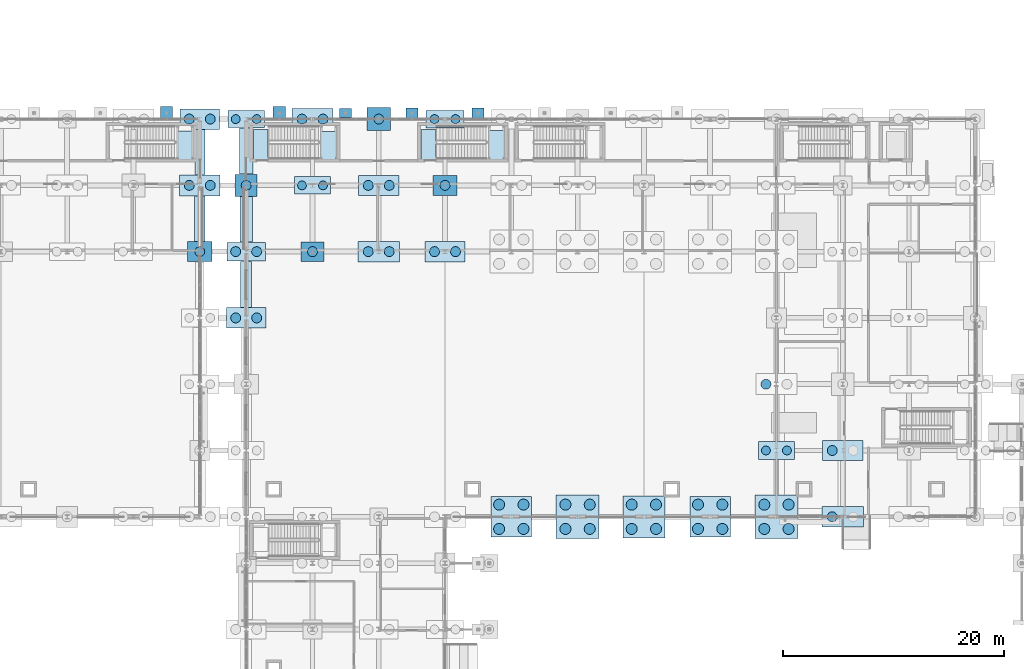
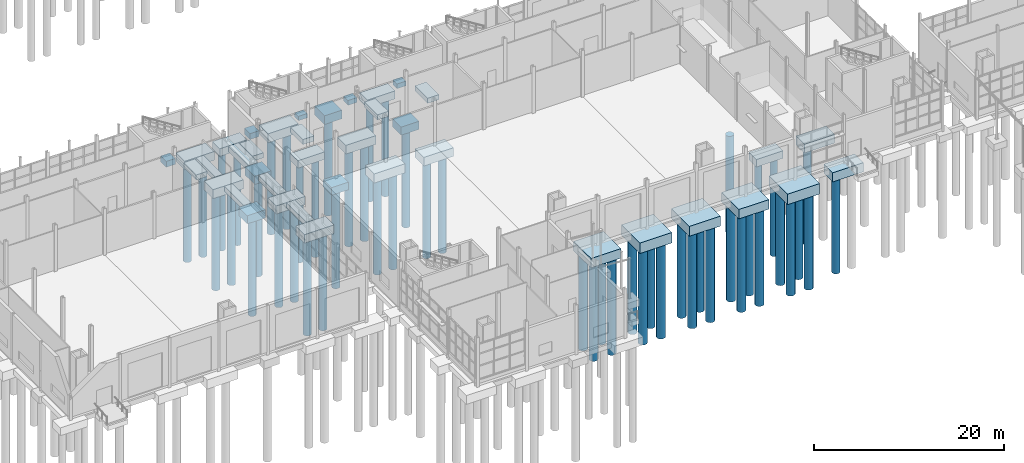
# One storey, part 3 of 120: 52 piles, 39 footings.
"""IFC4 building model written with IfcOpenShell, lengths in metres."""

import ifcopenshell
import ifcopenshell.guid

model = None  # the IFC model being written
_history = None  # IfcOwnerHistory: only IFC2X3 demands one
_inside = {}  # id of a spatial element -> (the spatial element, [elements in it])
_under = {}  # id of a project, library or spatial element -> (it, [spatial elements below it])
_declared = {}  # id of a project -> (the project, [libraries it declares])
_typed = {}  # id of a type object -> (the type object, [elements of that type])
_made_of = {}  # id of a material, layer set ... -> (it, [elements and type objects made of it])


def new_model(schema):
    """Start an empty IFC model of exactly this schema.

    Asked for "IFC4X3", IfcOpenShell would pick the latest addendum, in which some entities
    have other attributes; the version numbers below select the first issue.
    IFC2X3 requires an IfcOwnerHistory on every rooted entity: one is made here for all.
    """
    global model, _history
    if schema == "IFC4X3":
        model = ifcopenshell.file(schema_version=(4, 3, 0, 0))
    else:
        model = ifcopenshell.file(schema=schema)
    _inside.clear()
    _under.clear()
    _declared.clear()
    _typed.clear()
    _made_of.clear()
    _history = None
    if model.schema == "IFC2X3":
        org = make("IfcOrganization", Name="unknown")
        user = make(
            "IfcPersonAndOrganization",
            ThePerson=make("IfcPerson", FamilyName="unknown"),
            TheOrganization=org,
        )
        app = make(
            "IfcApplication",
            ApplicationDeveloper=org,
            Version="unknown",
            ApplicationFullName="unknown",
            ApplicationIdentifier="unknown",
        )
        _history = make(
            "IfcOwnerHistory",
            OwningUser=user,
            OwningApplication=app,
            ChangeAction="ADDED",
            CreationDate=0,
        )
    return model


def make(cls, **values):
    """One entity of the class cls with the attributes given. An attribute that is None is left unset."""
    return model.create_entity(
        cls, **{name: value for name, value in values.items() if value is not None}
    )


def rooted(cls, **values):
    """An entity with a GlobalId (a new one), such as an element, a storey or a relation."""
    return make(cls, GlobalId=ifcopenshell.guid.new(), OwnerHistory=_history, **values)


def si_unit(unit_type, name, prefix=None):
    """IfcSIUnit, for example si_unit("LENGTHUNIT", "METRE", prefix="MILLI")."""
    return make("IfcSIUnit", UnitType=unit_type, Prefix=prefix, Name=name)


def assignment(units):
    """IfcUnitAssignment: the units of a project."""
    return None if units is None else make("IfcUnitAssignment", Units=units)


def point(xyz):
    """IfcCartesianPoint."""
    return None if xyz is None else make("IfcCartesianPoint", Coordinates=xyz)


def direction(xyz):
    """IfcDirection."""
    return None if xyz is None else make("IfcDirection", DirectionRatios=xyz)


def frame(location, z_axis=None, x_axis=None):
    """IfcAxis2Placement3D, a coordinate frame: its origin and axes. An axis left out is left unset."""
    return make(
        "IfcAxis2Placement3D",
        Location=point(location),
        Axis=direction(z_axis),
        RefDirection=direction(x_axis),
    )


def frame_2d(location, x_axis=None):
    """IfcAxis2Placement2D, a coordinate frame in the plane: its origin and x axis."""
    return make(
        "IfcAxis2Placement2D", Location=point(location), RefDirection=direction(x_axis)
    )


def origin():
    """The frame at (0, 0, 0) with its axes left unset."""
    return frame((0.0, 0.0, 0.0))


def origin_2d():
    """The frame at (0, 0) in the plane with its x axis left unset."""
    return frame_2d((0.0, 0.0))


def place(relative_to, where):
    """IfcLocalPlacement: puts the frame where relative to a parent placement (None: the world)."""
    return make(
        "IfcLocalPlacement", PlacementRelTo=relative_to, RelativePlacement=where
    )


def context(
    kind, dimensions, precision=None, world=None, true_north=None, identifier=None
):
    """IfcGeometricRepresentationContext, for example the 3D "Model" context."""
    return make(
        "IfcGeometricRepresentationContext",
        ContextIdentifier=identifier,
        ContextType=kind,
        CoordinateSpaceDimension=dimensions,
        Precision=precision,
        WorldCoordinateSystem=world,
        TrueNorth=true_north,
    )


def subcontext(parent, identifier, kind, view, scale=None):
    """IfcGeometricRepresentationSubContext, for example "Body" below "Model"."""
    return make(
        "IfcGeometricRepresentationSubContext",
        ContextIdentifier=identifier,
        ContextType=kind,
        ParentContext=parent,
        TargetScale=scale,
        TargetView=view,
    )


def project(units=None, contexts=None):
    """IfcProject with its units and contexts."""
    return rooted(
        "IfcProject",
        Name="project",
        RepresentationContexts=contexts,
        UnitsInContext=assignment(units),
    )


def spatial(cls, under=None, at=None, **own):
    """A site, building, storey or space (cls), placed at a placement, below another one or the project."""
    s = rooted(cls, ObjectPlacement=at, **own)
    if under is not None:
        _under.setdefault(under.id(), (under, []))[1].append(s)
    return s


def profile(cls, at=None, kind="AREA", **sizes):
    """A parametric profile (cls). Its sizes go by their IFC names, for example OverallWidth=200.0."""
    return make(cls, ProfileType=kind, Position=at, **sizes)


def rectangle(**sizes):
    """IfcRectangleProfileDef."""
    return profile("IfcRectangleProfileDef", **sizes)


def circle(**sizes):
    """IfcCircleProfileDef."""
    return profile("IfcCircleProfileDef", **sizes)


def extrude(swept, where, along, depth):
    """IfcExtrudedAreaSolid: the profile swept, set in the frame where, extruded along a direction by depth."""
    return make(
        "IfcExtrudedAreaSolid",
        SweptArea=swept,
        Position=where,
        ExtrudedDirection=direction(along),
        Depth=depth,
    )


def shape(context_of_items, identifier, shape_type, items):
    """IfcShapeRepresentation: the items that make up one representation, for example the "Body"."""
    return make(
        "IfcShapeRepresentation",
        ContextOfItems=context_of_items,
        RepresentationIdentifier=identifier,
        RepresentationType=shape_type,
        Items=items,
    )


def material(Name=None, Category=None):
    """IfcMaterial."""
    return make("IfcMaterial", Name=Name, Category=Category)


def material_profile(
    of_material, cross_section, Name=None, Category=None, Priority=None
):
    """IfcMaterialProfile: a cross section and its material."""
    return make(
        "IfcMaterialProfile",
        Name=Name,
        Material=of_material,
        Profile=cross_section,
        Priority=Priority,
        Category=Category,
    )


def profile_set(profiles, Name=None, composite=None):
    """IfcMaterialProfileSet."""
    return make(
        "IfcMaterialProfileSet",
        Name=Name,
        MaterialProfiles=profiles,
        CompositeProfile=composite,
    )


def made_of(thing, what):
    """Note that an element or type object is made of a material, layer set ...; save() writes the relation."""
    if what is not None:
        _made_of.setdefault(what.id(), (what, []))[1].append(thing)
    return thing


def type_object(cls, material=None, **own):
    """A type object (cls), such as IfcWallType, which elements share."""
    return made_of(rooted(cls, **own), material)


def element(
    cls,
    number,
    at=None,
    inside=None,
    cuts=None,
    type_object=None,
    material=None,
    context=None,
    identifier="Body",
    shape_type=None,
    held_by="IfcProductDefinitionShape",
    body=None,
    shapes=None,
    **own,
):
    """One element of the class cls, such as IfcWall. Its Tag is "e" and its number.

    at: its placement. inside: the storey or other place that contains it. cuts: it is an
    opening in that element (IfcRelVoidsElement). A single representation is given by context,
    identifier, shape_type and body (its items); several are given by shapes. held_by: the class
    of the entity that holds the representations. save() writes the other relations.
    """
    e = rooted(cls, Tag="e%d" % number, ObjectPlacement=at, **own)
    if body is not None:
        shapes = [shape(context, identifier, shape_type, body)]
    if shapes is not None:
        e.Representation = make(held_by, Representations=shapes)
    if inside is not None:
        _inside.setdefault(inside.id(), (inside, []))[1].append(e)
    if cuts is not None:
        rooted(
            "IfcRelVoidsElement", RelatingBuildingElement=cuts, RelatedOpeningElement=e
        )
    if type_object is not None:
        _typed.setdefault(type_object.id(), (type_object, []))[1].append(e)
    return made_of(e, material)


def aggregate(whole, parts):
    """IfcRelAggregates: a whole, such as a stair, and the parts it consists of."""
    return rooted("IfcRelAggregates", RelatingObject=whole, RelatedObjects=parts)


def save(model, path):
    """Write the relations noted so far, then the file.

    IfcRelAggregates (storeys below a building ...), IfcRelContainedInSpatialStructure (elements
    in a storey), IfcRelDefinesByType, IfcRelAssociatesMaterial and IfcRelDeclares: one each for
    every whole, place, type object, material and project.
    """
    for whole, parts in _under.values():
        aggregate(whole, parts)
    for where, things in _inside.values():
        rooted(
            "IfcRelContainedInSpatialStructure",
            RelatedElements=things,
            RelatingStructure=where,
        )
    for kind, things in _typed.values():
        rooted("IfcRelDefinesByType", RelatedObjects=things, RelatingType=kind)
    for what, things in _made_of.values():
        rooted("IfcRelAssociatesMaterial", RelatedObjects=things, RelatingMaterial=what)
    for by, libraries in _declared.values():
        rooted("IfcRelDeclares", RelatingContext=by, RelatedDefinitions=libraries)
    model.write(path)


model = new_model("IFC4")

# Units and contexts
model_context = context("Model", 3, precision=1e-05, world=origin(), true_north=direction((0.0, 1.0)))
body_context = subcontext(model_context, "Body", "Model", "MODEL_VIEW")
ifc_project = project(units=[si_unit("LENGTHUNIT", "METRE"), si_unit("AREAUNIT", "SQUARE_METRE"), si_unit("VOLUMEUNIT", "CUBIC_METRE"), si_unit("PLANEANGLEUNIT", "RADIAN"), si_unit("MASSUNIT", "GRAM", prefix="KILO")], contexts=[model_context])

# Site, building, storey
site_placement = place(None, origin())
site = spatial("IfcSite", under=ifc_project, at=site_placement, CompositionType="ELEMENT")
building_placement = place(site_placement, origin())
building = spatial("IfcBuilding", under=site, at=building_placement, Name="Siltcreek Boulevard Central Fire Station", CompositionType="ELEMENT")
storey_placement = place(building_placement, origin())
storey = spatial("IfcBuildingStorey", under=building, at=storey_placement, Name="L01", CompositionType="ELEMENT", Elevation=0.0)

# Footings
ifc_material = material(Name="Concrete C35/45", Category="concrete")
footing_type_1 = type_object("IfcFootingType", Name="PC_200X200X106", PredefinedType="PILE_CAP", material=ifc_material)
footing_1_placement = place(storey_placement, frame((42.0, 48.0, -1.469970703125), z_axis=(0.0, 0.0, 1.0), x_axis=(1.0, 0.0, 0.0)))
element("IfcFooting", 1, at=footing_1_placement, inside=storey, type_object=footing_type_1, Name="Reinforced concrete pile cap PC-009", PredefinedType="PILE_CAP", context=body_context, shape_type="SweptSolid", body=[
    extrude(rectangle(XDim=2.0, YDim=2.0, at=origin_2d()), origin(), (0.0, 0.0, 1.0), 1.06005859375),
])
footing_type_2 = type_object("IfcFootingType", Name="PC_205X175X098", PredefinedType="PILE_CAP", material=ifc_material)
footing_2_placement = place(storey_placement, frame((48.0, 42.0, -1.389892578125), z_axis=(0.0, 0.0, 1.0), x_axis=(1.0, 0.0, 0.0)))
element("IfcFooting", 2, at=footing_2_placement, inside=storey, type_object=footing_type_2, Name="Reinforced concrete pile cap PC-015", PredefinedType="PILE_CAP", context=body_context, shape_type="SweptSolid", body=[
    extrude(rectangle(XDim=2.050048828125, YDim=1.75, at=origin_2d()), origin(), (0.0, 0.0, 1.0), 0.97998046875),
])
footing_type_3 = type_object("IfcFootingType", Name="PC_210X210X112", PredefinedType="PILE_CAP", material=ifc_material)
footing_3_placement = place(storey_placement, frame((54.0, 54.0, -1.530029296875), z_axis=(0.0, 0.0, 1.0), x_axis=(1.0, 0.0, 0.0)))
element("IfcFooting", 3, at=footing_3_placement, inside=storey, type_object=footing_type_3, Name="Reinforced concrete pile cap PC-024", PredefinedType="PILE_CAP", context=body_context, shape_type="SweptSolid", body=[
    extrude(rectangle(XDim=2.10009765625, YDim=2.10009765625, at=origin_2d()), origin(), (0.0, 0.0, 1.0), 1.1201171875),
])
footing_type_4 = type_object("IfcFootingType", Name="PC_220X180X104", PredefinedType="PILE_CAP", material=ifc_material)
for number, where, z_axis, x_axis, name in (
    (4, (60.0, 48.0, -1.449951171875), (0.0, 0.0, 1.0), (1.0, 0.0, 0.0), "Reinforced concrete pile cap PC-030"),
    (5, (37.800048828125, 42.0, -1.449951171875), (0.0, 0.0, 1.0), (1.0, 0.0, 0.0), "Reinforced concrete pile cap PC-126"),
):
    element("IfcFooting", number, at=place(storey_placement, frame(where, z_axis=z_axis, x_axis=x_axis)), inside=storey, type_object=footing_type_4, Name=name, PredefinedType="PILE_CAP", context=body_context, shape_type="SweptSolid", body=[
        extrude(rectangle(XDim=2.199951171875, YDim=1.800048828125, at=origin_2d()), origin(), (0.0, 0.0, 1.0), 1.0400390625),
    ])
footing_type_5 = type_object("IfcFootingType", Name="PC_325X160X096", PredefinedType="PILE_CAP", material=ifc_material)
for number, where, z_axis, x_axis, name in (
    (6, (48.0, 48.0, -1.369873046875), (0.0, 0.0, 1.0), (1.0, 0.0, 0.0), "Reinforced concrete pile cap PC-016"),
    (7, (90.0, 24.0, -1.369873046875), (0.0, 0.0, 1.0), (1.0, 0.0, 0.0), "Reinforced concrete pile cap PC-049"),
):
    element("IfcFooting", number, at=place(storey_placement, frame(where, z_axis=z_axis, x_axis=x_axis)), inside=storey, type_object=footing_type_5, Name=name, PredefinedType="PILE_CAP", context=body_context, shape_type="SweptSolid", body=[
        extrude(rectangle(XDim=3.25, YDim=1.60009765625, at=origin_2d()), origin(), (0.0, 0.0, 1.0), 0.9599609375),
    ])
footing_type_6 = type_object("IfcFootingType", Name="PC_330X155X098", PredefinedType="PILE_CAP", material=ifc_material)
footing_4_placement = place(storey_placement, frame((42.0, 54.0, -1.389892578125), z_axis=(0.0, 0.0, 1.0), x_axis=(1.0, 0.0, 0.0)))
element("IfcFooting", 8, at=footing_4_placement, inside=storey, type_object=footing_type_6, Name="Reinforced concrete pile cap PC-010", PredefinedType="PILE_CAP", context=body_context, shape_type="SweptSolid", body=[
    extrude(rectangle(XDim=3.300048828125, YDim=1.550048828125, at=origin_2d()), origin(), (0.0, 0.0, 1.0), 0.97998046875),
])
footing_type_7 = type_object("IfcFootingType", Name="PC_340X160X102", PredefinedType="PILE_CAP", material=ifc_material)
footing_5_placement = place(storey_placement, frame((60.0, 54.0, -1.429931640625), z_axis=(0.0, 0.0, 1.0), x_axis=(1.0, 0.0, 0.0)))
element("IfcFooting", 9, at=footing_5_placement, inside=storey, type_object=footing_type_7, Name="Reinforced concrete pile cap PC-031", PredefinedType="PILE_CAP", context=body_context, shape_type="SweptSolid", body=[
    extrude(rectangle(XDim=3.39990234375, YDim=1.60009765625, at=origin_2d()), origin(), (0.0, 0.0, 1.0), 1.02001953125),
])
footing_type_8 = type_object("IfcFootingType", Name="PC_350X170X106", PredefinedType="PILE_CAP", material=ifc_material)
footing_6_placement = place(storey_placement, frame((42.0, 42.0, -1.469970703125), z_axis=(0.0, 0.0, 1.0), x_axis=(1.0, 0.0, 0.0)))
element("IfcFooting", 10, at=footing_6_placement, inside=storey, type_object=footing_type_8, Name="Reinforced concrete pile cap PC-008", PredefinedType="PILE_CAP", context=body_context, shape_type="SweptSolid", body=[
    extrude(rectangle(XDim=3.5, YDim=1.699951171875, at=origin_2d()), origin(), (0.0, 0.0, 1.0), 1.06005859375),
])
footing_type_9 = type_object("IfcFootingType", Name="PC_360X185X110", PredefinedType="PILE_CAP", material=ifc_material)
for number, where, z_axis, x_axis, name in (
    (11, (42.0, 36.0, -1.510009765625), (0.0, 0.0, 1.0), (1.0, 0.0, 0.0), "Reinforced concrete pile cap PC-007"),
    (12, (60.0, 42.0, -1.510009765625), (0.0, 0.0, 1.0), (1.0, 0.0, 0.0), "Reinforced concrete pile cap PC-029"),
    (13, (37.800048828125, 54.0, -1.510009765625), (0.0, 0.0, 1.0), (1.0, 0.0, 0.0), "Reinforced concrete pile cap PC-128"),
):
    element("IfcFooting", number, at=place(storey_placement, frame(where, z_axis=z_axis, x_axis=x_axis)), inside=storey, type_object=footing_type_9, Name=name, PredefinedType="PILE_CAP", context=body_context, shape_type="SweptSolid", body=[
        extrude(rectangle(XDim=3.60009765625, YDim=1.85009765625, at=origin_2d()), origin(), (0.0, 0.0, 1.0), 1.10009765625),
    ])
footing_type_10 = type_object("IfcFootingType", Name="PC_365X180X112", PredefinedType="PILE_CAP", material=ifc_material)
for number, where, z_axis, x_axis, name in (
    (14, (54.0, 48.0, -1.530029296875), (0.0, 0.0, 1.0), (1.0, 0.0, 0.0), "Reinforced concrete pile cap PC-023"),
    (15, (96.0, 24.0, -1.530029296875), (0.0, 0.0, 1.0), (1.0, 0.0, 0.0), "Reinforced concrete pile cap PC-056"),
):
    element("IfcFooting", number, at=place(storey_placement, frame(where, z_axis=z_axis, x_axis=x_axis)), inside=storey, type_object=footing_type_10, Name=name, PredefinedType="PILE_CAP", context=body_context, shape_type="SweptSolid", body=[
        extrude(rectangle(XDim=3.64990234375, YDim=1.800048828125, at=origin_2d()), origin(), (0.0, 0.0, 1.0), 1.1201171875),
    ])
footing_type_11 = type_object("IfcFootingType", Name="PC_365X365X122", PredefinedType="PILE_CAP", material=ifc_material)
for number, where, z_axis, x_axis, name in (
    (16, (66.0, 18.0, -1.6298828125), (0.0, 0.0, 1.0), (1.0, 0.0, 0.0), "Reinforced concrete pile cap PC-032"),
    (17, (84.0, 18.0, -1.6298828125), (0.0, 0.0, 1.0), (1.0, 0.0, 0.0), "Reinforced concrete pile cap PC-044"),
):
    element("IfcFooting", number, at=place(storey_placement, frame(where, z_axis=z_axis, x_axis=x_axis)), inside=storey, type_object=footing_type_11, Name=name, PredefinedType="PILE_CAP", context=body_context, shape_type="SweptSolid", body=[
        extrude(rectangle(XDim=3.64990234375, YDim=3.64990234375, at=origin_2d()), origin(), (0.0, 0.0, 1.0), 1.219970703125),
    ])
footing_type_12 = type_object("IfcFootingType", Name="PC_370X190X116", PredefinedType="PILE_CAP", material=ifc_material)
for number, where, z_axis, x_axis, name in (
    (18, (48.0, 54.0, -1.56982421875), (0.0, 0.0, 1.0), (1.0, 0.0, 0.0), "Reinforced concrete pile cap PC-017"),
    (19, (37.800048828125, 48.0, -1.56982421875), (0.0, 0.0, 1.0), (1.0, 0.0, 0.0), "Reinforced concrete pile cap PC-127"),
):
    element("IfcFooting", number, at=place(storey_placement, frame(where, z_axis=z_axis, x_axis=x_axis)), inside=storey, type_object=footing_type_12, Name=name, PredefinedType="PILE_CAP", context=body_context, shape_type="SweptSolid", body=[
        extrude(rectangle(XDim=3.699951171875, YDim=1.89990234375, at=origin_2d()), origin(), (0.0, 0.0, 1.0), 1.159912109375),
    ])
footing_type_13 = type_object("IfcFootingType", Name="PC_375X185X118", PredefinedType="PILE_CAP", material=ifc_material)
for number, where, z_axis, x_axis, name in (
    (20, (54.0, 42.0, -1.58984375), (0.0, 0.0, 1.0), (1.0, 0.0, 0.0), "Reinforced concrete pile cap PC-022"),
    (21, (96.0, 18.0, -1.58984375), (0.0, 0.0, 1.0), (1.0, 0.0, 0.0), "Reinforced concrete pile cap PC-055"),
):
    element("IfcFooting", number, at=place(storey_placement, frame(where, z_axis=z_axis, x_axis=x_axis)), inside=storey, type_object=footing_type_13, Name=name, PredefinedType="PILE_CAP", context=body_context, shape_type="SweptSolid", body=[
        extrude(rectangle(XDim=3.75, YDim=1.85009765625, at=origin_2d()), origin(), (0.0, 0.0, 1.0), 1.179931640625),
    ])
footing_type_14 = type_object("IfcFootingType", Name="PC_380X380X128", PredefinedType="PILE_CAP", material=ifc_material)
footing_7_placement = place(storey_placement, frame((78.0, 18.0, -1.68994140625), z_axis=(0.0, 0.0, 1.0), x_axis=(1.0, 0.0, 0.0)))
element("IfcFooting", 22, at=footing_7_placement, inside=storey, type_object=footing_type_14, Name="Reinforced concrete pile cap PC-040", PredefinedType="PILE_CAP", context=body_context, shape_type="SweptSolid", body=[
    extrude(rectangle(XDim=3.800048828125, YDim=3.800048828125, at=origin_2d()), origin(), (0.0, 0.0, 1.0), 1.280029296875),
])
footing_type_15 = type_object("IfcFootingType", Name="PC_390X390X135", PredefinedType="PILE_CAP", material=ifc_material)
for number, where, z_axis, x_axis, name in (
    (23, (72.0, 18.0, -1.760009765625), (0.0, 0.0, 1.0), (1.0, 0.0, 0.0), "Reinforced concrete pile cap PC-036"),
    (24, (90.0, 18.0, -1.760009765625), (0.0, 0.0, 1.0), (1.0, 0.0, 0.0), "Reinforced concrete pile cap PC-048"),
):
    element("IfcFooting", number, at=place(storey_placement, frame(where, z_axis=z_axis, x_axis=x_axis)), inside=storey, type_object=footing_type_15, Name=name, PredefinedType="PILE_CAP", context=body_context, shape_type="SweptSolid", body=[
        extrude(rectangle(XDim=3.89990234375, YDim=3.89990234375, at=origin_2d()), origin(), (0.0, 0.0, 1.0), 1.35009765625),
    ])

# Piles
ifc_material_profile_1 = material_profile(ifc_material, circle(Radius=0.5, at=origin_2d()), Name="SHAFT1000")
ifc_profile_set_1 = profile_set([ifc_material_profile_1], Name="Concrete C35/45")
pile_type_1 = type_object("IfcPileType", Name="PILE_D1000", PredefinedType="BORED", material=ifc_profile_set_1)
for number, where, z_axis, x_axis, name in (
    (25, (64.89990234375, 16.89990234375, -1.530029296875), (0.0, 0.0, -1.0), (1.0, 0.0, 0.0), "Bored concrete pile 053 in Vashon till"),
    (26, (67.10009765625, 16.89990234375, -1.530029296875), (0.0, 0.0, -1.0), (1.0, 0.0, 0.0), "Bored concrete pile 054 in Vashon till"),
    (27, (64.89990234375, 19.10009765625, -1.530029296875), (0.0, 0.0, -1.0), (1.0, 0.0, 0.0), "Bored concrete pile 055 in Vashon till"),
    (28, (67.10009765625, 19.10009765625, -1.530029296875), (0.0, 0.0, -1.0), (1.0, 0.0, 0.0), "Bored concrete pile 056 in Vashon till"),
):
    element("IfcPile", number, at=place(storey_placement, frame(where, z_axis=z_axis, x_axis=x_axis)), inside=storey, type_object=pile_type_1, Name=name, PredefinedType="BORED", context=body_context, shape_type="SweptSolid", body=[
        extrude(circle(Radius=0.5, at=origin_2d()), origin(), (0.0, 0.0, 1.0), 12.469970703125),
    ])
for number, where, z_axis, x_axis, name in (
    (29, (70.89990234375, 16.89990234375, -1.659912109375), (0.0, 0.0, -1.0), (1.0, 0.0, 0.0), "Bored concrete pile 065 in Vashon till"),
    (30, (73.10009765625, 16.89990234375, -1.659912109375), (0.0, 0.0, -1.0), (1.0, 0.0, 0.0), "Bored concrete pile 066 in Vashon till"),
    (31, (70.89990234375, 19.10009765625, -1.659912109375), (0.0, 0.0, -1.0), (1.0, 0.0, 0.0), "Bored concrete pile 067 in Vashon till"),
    (32, (73.10009765625, 19.10009765625, -1.659912109375), (0.0, 0.0, -1.0), (1.0, 0.0, 0.0), "Bored concrete pile 068 in Vashon till"),
):
    element("IfcPile", number, at=place(storey_placement, frame(where, z_axis=z_axis, x_axis=x_axis)), inside=storey, type_object=pile_type_1, Name=name, PredefinedType="BORED", context=body_context, shape_type="SweptSolid", body=[
        extrude(circle(Radius=0.5, at=origin_2d()), origin(), (0.0, 0.0, 1.0), 12.340087890625),
    ])
for number, where, z_axis, x_axis, name in (
    (33, (76.89990234375, 16.89990234375, -1.590087890625), (0.0, 0.0, -1.0), (1.0, 0.0, 0.0), "Bored concrete pile 076 in Vashon till"),
    (34, (79.10009765625, 16.89990234375, -1.590087890625), (0.0, 0.0, -1.0), (1.0, 0.0, 0.0), "Bored concrete pile 077 in Vashon till"),
    (35, (76.89990234375, 19.10009765625, -1.590087890625), (0.0, 0.0, -1.0), (1.0, 0.0, 0.0), "Bored concrete pile 078 in Vashon till"),
    (36, (79.10009765625, 19.10009765625, -1.590087890625), (0.0, 0.0, -1.0), (1.0, 0.0, 0.0), "Bored concrete pile 079 in Vashon till"),
):
    element("IfcPile", number, at=place(storey_placement, frame(where, z_axis=z_axis, x_axis=x_axis)), inside=storey, type_object=pile_type_1, Name=name, PredefinedType="BORED", context=body_context, shape_type="SweptSolid", body=[
        extrude(circle(Radius=0.5, at=origin_2d()), origin(), (0.0, 0.0, 1.0), 12.409912109375),
    ])
for number, where, z_axis, x_axis, name in (
    (37, (82.89990234375, 16.89990234375, -1.530029296875), (0.0, 0.0, -1.0), (1.0, 0.0, 0.0), "Bored concrete pile 087 in Vashon till"),
    (38, (85.10009765625, 16.89990234375, -1.530029296875), (0.0, 0.0, -1.0), (1.0, 0.0, 0.0), "Bored concrete pile 088 in Vashon till"),
    (39, (82.89990234375, 19.10009765625, -1.530029296875), (0.0, 0.0, -1.0), (1.0, 0.0, 0.0), "Bored concrete pile 089 in Vashon till"),
    (40, (85.10009765625, 19.10009765625, -1.530029296875), (0.0, 0.0, -1.0), (1.0, 0.0, 0.0), "Bored concrete pile 090 in Vashon till"),
):
    element("IfcPile", number, at=place(storey_placement, frame(where, z_axis=z_axis, x_axis=x_axis)), inside=storey, type_object=pile_type_1, Name=name, PredefinedType="BORED", context=body_context, shape_type="SweptSolid", body=[
        extrude(circle(Radius=0.5, at=origin_2d()), origin(), (0.0, 0.0, 1.0), 12.469970703125),
    ])
for number, where, z_axis, x_axis, name in (
    (41, (88.89990234375, 16.89990234375, -1.659912109375), (0.0, 0.0, -1.0), (1.0, 0.0, 0.0), "Bored concrete pile 099 in Vashon till"),
    (42, (91.10009765625, 16.89990234375, -1.659912109375), (0.0, 0.0, -1.0), (1.0, 0.0, 0.0), "Bored concrete pile 100 in Vashon till"),
    (43, (88.89990234375, 19.10009765625, -1.659912109375), (0.0, 0.0, -1.0), (1.0, 0.0, 0.0), "Bored concrete pile 101 in Vashon till"),
    (44, (91.10009765625, 19.10009765625, -1.659912109375), (0.0, 0.0, -1.0), (1.0, 0.0, 0.0), "Bored concrete pile 102 in Vashon till"),
):
    element("IfcPile", number, at=place(storey_placement, frame(where, z_axis=z_axis, x_axis=x_axis)), inside=storey, type_object=pile_type_1, Name=name, PredefinedType="BORED", context=body_context, shape_type="SweptSolid", body=[
        extrude(circle(Radius=0.5, at=origin_2d()), origin(), (0.0, 0.0, 1.0), 12.340087890625),
    ])
ifc_material_profile_2 = material_profile(ifc_material, circle(Radius=0.39990234375, at=origin_2d()), Name="SHAFT800")
ifc_profile_set_2 = profile_set([ifc_material_profile_2], Name="Concrete C35/45")
pile_type_2 = type_object("IfcPileType", Name="PILE_D800", PredefinedType="BORED", material=ifc_profile_set_2)
for number, where, z_axis, x_axis, name in (
    (45, (41.050048828125, 54.0, -1.2900390625), (0.0, 0.0, -1.0), (1.0, 0.0, 0.0), "Bored concrete pile 016 in Vashon till"),
    (46, (42.949951171875, 54.0, -1.2900390625), (0.0, 0.0, -1.0), (1.0, 0.0, 0.0), "Bored concrete pile 017 in Vashon till"),
):
    element("IfcPile", number, at=place(storey_placement, frame(where, z_axis=z_axis, x_axis=x_axis)), inside=storey, type_object=pile_type_2, Name=name, PredefinedType="BORED", context=body_context, shape_type="SweptSolid", body=[
        extrude(circle(Radius=0.39990234375, at=origin_2d()), origin(), (0.0, 0.0, 1.0), 12.7099609375),
    ])
for number, where, z_axis, x_axis, name in (
    (47, (47.050048828125, 48.0, -1.27001953125), (0.0, 0.0, -1.0), (1.0, 0.0, 0.0), "Bored concrete pile 026 in Vashon till"),
    (48, (48.949951171875, 48.0, -1.27001953125), (0.0, 0.0, -1.0), (1.0, 0.0, 0.0), "Bored concrete pile 027 in Vashon till"),
):
    element("IfcPile", number, at=place(storey_placement, frame(where, z_axis=z_axis, x_axis=x_axis)), inside=storey, type_object=pile_type_2, Name=name, PredefinedType="BORED", context=body_context, shape_type="SweptSolid", body=[
        extrude(circle(Radius=0.39990234375, at=origin_2d()), origin(), (0.0, 0.0, 1.0), 12.72998046875),
    ])
for number, where, z_axis, x_axis, name in (
    (49, (59.050048828125, 54.0, -1.330078125), (0.0, 0.0, -1.0), (1.0, 0.0, 0.0), "Bored concrete pile 051 in Vashon till"),
    (50, (60.949951171875, 54.0, -1.330078125), (0.0, 0.0, -1.0), (1.0, 0.0, 0.0), "Bored concrete pile 052 in Vashon till"),
):
    element("IfcPile", number, at=place(storey_placement, frame(where, z_axis=z_axis, x_axis=x_axis)), inside=storey, type_object=pile_type_2, Name=name, PredefinedType="BORED", context=body_context, shape_type="SweptSolid", body=[
        extrude(circle(Radius=0.39990234375, at=origin_2d()), origin(), (0.0, 0.0, 1.0), 12.669921875),
    ])
for number, where, z_axis, x_axis, name in (
    (51, (89.050048828125, 24.0, -1.27001953125), (0.0, 0.0, -1.0), (1.0, 0.0, 0.0), "Bored concrete pile 103 in Vashon till"),
    (52, (90.949951171875, 24.0, -1.27001953125), (0.0, 0.0, -1.0), (1.0, 0.0, 0.0), "Bored concrete pile 104 in Vashon till"),
):
    element("IfcPile", number, at=place(storey_placement, frame(where, z_axis=z_axis, x_axis=x_axis)), inside=storey, type_object=pile_type_2, Name=name, PredefinedType="BORED", context=body_context, shape_type="SweptSolid", body=[
        extrude(circle(Radius=0.39990234375, at=origin_2d()), origin(), (0.0, 0.0, 1.0), 12.72998046875),
    ])
ifc_material_profile_3 = material_profile(ifc_material, circle(Radius=0.449951171875, at=origin_2d()), Name="SHAFT900")
ifc_profile_set_3 = profile_set([ifc_material_profile_3], Name="Concrete C35/45")
pile_type_3 = type_object("IfcPileType", Name="PILE_D900", PredefinedType="BORED", material=ifc_profile_set_3)
for number, where, z_axis, x_axis, name in (
    (53, (41.050048828125, 36.0, -1.409912109375), (0.0, 0.0, -1.0), (1.0, 0.0, 0.0), "Bored concrete pile 011 in Vashon till"),
    (54, (42.949951171875, 36.0, -1.409912109375), (0.0, 0.0, -1.0), (1.0, 0.0, 0.0), "Bored concrete pile 012 in Vashon till"),
):
    element("IfcPile", number, at=place(storey_placement, frame(where, z_axis=z_axis, x_axis=x_axis)), inside=storey, type_object=pile_type_3, Name=name, PredefinedType="BORED", context=body_context, shape_type="SweptSolid", body=[
        extrude(circle(Radius=0.449951171875, at=origin_2d()), origin(), (0.0, 0.0, 1.0), 12.590087890625),
    ])
for number, where, z_axis, x_axis, name in (
    (55, (41.050048828125, 42.0, -1.3701171875), (0.0, 0.0, -1.0), (1.0, 0.0, 0.0), "Bored concrete pile 013 in Vashon till"),
    (56, (42.949951171875, 42.0, -1.3701171875), (0.0, 0.0, -1.0), (1.0, 0.0, 0.0), "Bored concrete pile 014 in Vashon till"),
    (57, (42.0, 48.0, -1.3701171875), (0.0, 0.0, -1.0), (1.0, 0.0, 0.0), "Bored concrete pile 015 in Vashon till"),
):
    element("IfcPile", number, at=place(storey_placement, frame(where, z_axis=z_axis, x_axis=x_axis)), inside=storey, type_object=pile_type_3, Name=name, PredefinedType="BORED", context=body_context, shape_type="SweptSolid", body=[
        extrude(circle(Radius=0.449951171875, at=origin_2d()), origin(), (0.0, 0.0, 1.0), 12.6298828125),
    ])
pile_1_placement = place(storey_placement, frame((48.0, 42.0, -1.2900390625), z_axis=(0.0, 0.0, -1.0), x_axis=(1.0, 0.0, 0.0)))
element("IfcPile", 58, at=pile_1_placement, inside=storey, type_object=pile_type_3, Name="Bored concrete pile 025 in Vashon till", PredefinedType="BORED", context=body_context, shape_type="SweptSolid", body=[
    extrude(circle(Radius=0.449951171875, at=origin_2d()), origin(), (0.0, 0.0, 1.0), 12.7099609375),
])
for number, where, z_axis, x_axis, name in (
    (59, (47.050048828125, 54.0, -1.469970703125), (0.0, 0.0, -1.0), (1.0, 0.0, 0.0), "Bored concrete pile 028 in Vashon till"),
    (60, (48.949951171875, 54.0, -1.469970703125), (0.0, 0.0, -1.0), (1.0, 0.0, 0.0), "Bored concrete pile 029 in Vashon till"),
):
    element("IfcPile", number, at=place(storey_placement, frame(where, z_axis=z_axis, x_axis=x_axis)), inside=storey, type_object=pile_type_3, Name=name, PredefinedType="BORED", context=body_context, shape_type="SweptSolid", body=[
        extrude(circle(Radius=0.449951171875, at=origin_2d()), origin(), (0.0, 0.0, 1.0), 12.530029296875),
    ])
for number, where, z_axis, x_axis, name in (
    (61, (53.050048828125, 42.0, -1.489990234375), (0.0, 0.0, -1.0), (1.0, 0.0, 0.0), "Bored concrete pile 036 in Vashon till"),
    (62, (54.949951171875, 42.0, -1.489990234375), (0.0, 0.0, -1.0), (1.0, 0.0, 0.0), "Bored concrete pile 037 in Vashon till"),
):
    element("IfcPile", number, at=place(storey_placement, frame(where, z_axis=z_axis, x_axis=x_axis)), inside=storey, type_object=pile_type_3, Name=name, PredefinedType="BORED", context=body_context, shape_type="SweptSolid", body=[
        extrude(circle(Radius=0.449951171875, at=origin_2d()), origin(), (0.0, 0.0, 1.0), 12.510009765625),
    ])
for number, where, z_axis, x_axis, name in (
    (63, (53.050048828125, 48.0, -1.429931640625), (0.0, 0.0, -1.0), (1.0, 0.0, 0.0), "Bored concrete pile 038 in Vashon till"),
    (64, (54.949951171875, 48.0, -1.429931640625), (0.0, 0.0, -1.0), (1.0, 0.0, 0.0), "Bored concrete pile 039 in Vashon till"),
    (65, (54.0, 54.0, -1.429931640625), (0.0, 0.0, -1.0), (1.0, 0.0, 0.0), "Bored concrete pile 040 in Vashon till"),
):
    element("IfcPile", number, at=place(storey_placement, frame(where, z_axis=z_axis, x_axis=x_axis)), inside=storey, type_object=pile_type_3, Name=name, PredefinedType="BORED", context=body_context, shape_type="SweptSolid", body=[
        extrude(circle(Radius=0.449951171875, at=origin_2d()), origin(), (0.0, 0.0, 1.0), 12.570068359375),
    ])
for number, where, z_axis, x_axis, name in (
    (66, (59.050048828125, 42.0, -1.409912109375), (0.0, 0.0, -1.0), (1.0, 0.0, 0.0), "Bored concrete pile 048 in Vashon till"),
    (67, (60.949951171875, 42.0, -1.409912109375), (0.0, 0.0, -1.0), (1.0, 0.0, 0.0), "Bored concrete pile 049 in Vashon till"),
):
    element("IfcPile", number, at=place(storey_placement, frame(where, z_axis=z_axis, x_axis=x_axis)), inside=storey, type_object=pile_type_3, Name=name, PredefinedType="BORED", context=body_context, shape_type="SweptSolid", body=[
        extrude(circle(Radius=0.449951171875, at=origin_2d()), origin(), (0.0, 0.0, 1.0), 12.590087890625),
    ])
pile_2_placement = place(storey_placement, frame((60.0, 48.0, -1.35009765625), z_axis=(0.0, 0.0, -1.0), x_axis=(1.0, 0.0, 0.0)))
element("IfcPile", 68, at=pile_2_placement, inside=storey, type_object=pile_type_3, Name="Bored concrete pile 050 in Vashon till", PredefinedType="BORED", context=body_context, shape_type="SweptSolid", body=[
    extrude(circle(Radius=0.449951171875, at=origin_2d()), origin(), (0.0, 0.0, 1.0), 12.64990234375),
])
pile_3_placement = place(storey_placement, frame((89.050048828125, 30.0, -1.469970703125), z_axis=(0.0, 0.0, -1.0), x_axis=(1.0, 0.0, 0.0)))
element("IfcPile", 69, at=pile_3_placement, inside=storey, type_object=pile_type_3, Name="Bored concrete pile 105 in Vashon till", PredefinedType="BORED", context=body_context, shape_type="SweptSolid", body=[
    extrude(circle(Radius=0.449951171875, at=origin_2d()), origin(), (0.0, 0.0, 1.0), 12.530029296875),
])
pile_4_placement = place(storey_placement, frame((95.050048828125, 18.0, -1.489990234375), z_axis=(0.0, 0.0, -1.0), x_axis=(1.0, 0.0, 0.0)))
element("IfcPile", 70, at=pile_4_placement, inside=storey, type_object=pile_type_3, Name="Bored concrete pile 115 in Vashon till", PredefinedType="BORED", context=body_context, shape_type="SweptSolid", body=[
    extrude(circle(Radius=0.449951171875, at=origin_2d()), origin(), (0.0, 0.0, 1.0), 12.510009765625),
])
pile_5_placement = place(storey_placement, frame((95.050048828125, 24.0, -1.429931640625), z_axis=(0.0, 0.0, -1.0), x_axis=(1.0, 0.0, 0.0)))
element("IfcPile", 71, at=pile_5_placement, inside=storey, type_object=pile_type_3, Name="Bored concrete pile 117 in Vashon till", PredefinedType="BORED", context=body_context, shape_type="SweptSolid", body=[
    extrude(circle(Radius=0.449951171875, at=origin_2d()), origin(), (0.0, 0.0, 1.0), 12.570068359375),
])
pile_6_placement = place(storey_placement, frame((37.800048828125, 42.0, -1.35009765625), z_axis=(0.0, 0.0, -1.0), x_axis=(1.0, 0.0, 0.0)))
element("IfcPile", 72, at=pile_6_placement, inside=storey, type_object=pile_type_3, Name="Bored concrete pile 239 in Vashon till", PredefinedType="BORED", context=body_context, shape_type="SweptSolid", body=[
    extrude(circle(Radius=0.449951171875, at=origin_2d()), origin(), (0.0, 0.0, 1.0), 12.64990234375),
])
for number, where, z_axis, x_axis, name in (
    (73, (36.85009765625, 48.0, -1.469970703125), (0.0, 0.0, -1.0), (1.0, 0.0, 0.0), "Bored concrete pile 240 in Vashon till"),
    (74, (38.75, 48.0, -1.469970703125), (0.0, 0.0, -1.0), (1.0, 0.0, 0.0), "Bored concrete pile 241 in Vashon till"),
):
    element("IfcPile", number, at=place(storey_placement, frame(where, z_axis=z_axis, x_axis=x_axis)), inside=storey, type_object=pile_type_3, Name=name, PredefinedType="BORED", context=body_context, shape_type="SweptSolid", body=[
        extrude(circle(Radius=0.449951171875, at=origin_2d()), origin(), (0.0, 0.0, 1.0), 12.530029296875),
    ])
for number, where, z_axis, x_axis, name in (
    (75, (36.85009765625, 54.0, -1.409912109375), (0.0, 0.0, -1.0), (1.0, 0.0, 0.0), "Bored concrete pile 242 in Vashon till"),
    (76, (38.75, 54.0, -1.409912109375), (0.0, 0.0, -1.0), (1.0, 0.0, 0.0), "Bored concrete pile 243 in Vashon till"),
):
    element("IfcPile", number, at=place(storey_placement, frame(where, z_axis=z_axis, x_axis=x_axis)), inside=storey, type_object=pile_type_3, Name=name, PredefinedType="BORED", context=body_context, shape_type="SweptSolid", body=[
        extrude(circle(Radius=0.449951171875, at=origin_2d()), origin(), (0.0, 0.0, 1.0), 12.590087890625),
    ])

# Footings
footing_type_16 = type_object("IfcFootingType", Name="SF_1000X650", PredefinedType="STRIP_FOOTING", material=ifc_material)
footing_8_placement = place(storey_placement, frame((42.0, 39.03759765625, -1.06005859375), z_axis=(0.0, 0.0, 1.0), x_axis=(1.0, 0.0, 0.0)))
element("IfcFooting", 77, at=footing_8_placement, inside=storey, type_object=footing_type_16, Name="Perimeter strip footing SF-049", PredefinedType="STRIP_FOOTING", context=body_context, shape_type="SweptSolid", body=[
    extrude(rectangle(XDim=1.0, YDim=4.18505859375, at=origin_2d()), origin(), (0.0, 0.0, 1.0), 0.64990234375),
])
footing_9_placement = place(storey_placement, frame((36.4599609375, 51.607421875, -1.06005859375), z_axis=(0.0, 0.0, 1.0), x_axis=(1.0, 0.0, 0.0)))
element("IfcFooting", 78, at=footing_9_placement, inside=storey, type_object=footing_type_16, Name="Stair ST-V4B E foundation strip footing", PredefinedType="STRIP_FOOTING", context=body_context, shape_type="SweptSolid", body=[
    extrude(rectangle(XDim=1.35009765625, YDim=2.614990234375, at=origin_2d()), origin(), (0.0, 0.0, 1.0), 0.64990234375),
])
footing_10_placement = place(storey_placement, frame((43.320068359375, 51.6826171875, -1.06005859375), z_axis=(0.0, 0.0, 1.0), x_axis=(1.0, 0.0, 0.0)))
element("IfcFooting", 79, at=footing_10_placement, inside=storey, type_object=footing_type_16, Name="Stair ST-V1A W foundation strip footing", PredefinedType="STRIP_FOOTING", context=body_context, shape_type="SweptSolid", body=[
    extrude(rectangle(XDim=1.35009765625, YDim=2.764892578125, at=origin_2d()), origin(), (0.0, 0.0, 1.0), 0.64990234375),
])
footing_11_placement = place(storey_placement, frame((49.4599609375, 51.594970703125, -1.06005859375), z_axis=(0.0, 0.0, 1.0), x_axis=(1.0, 0.0, 0.0)))
element("IfcFooting", 80, at=footing_11_placement, inside=storey, type_object=footing_type_16, Name="Stair ST-V1A E foundation strip footing", PredefinedType="STRIP_FOOTING", context=body_context, shape_type="SweptSolid", body=[
    extrude(rectangle(XDim=1.35009765625, YDim=2.590087890625, at=origin_2d()), origin(), (0.0, 0.0, 1.0), 0.64990234375),
])
footing_12_placement = place(storey_placement, frame((58.52001953125, 51.669921875, -1.06005859375), z_axis=(0.0, 0.0, 1.0), x_axis=(1.0, 0.0, 0.0)))
element("IfcFooting", 81, at=footing_12_placement, inside=storey, type_object=footing_type_16, Name="Stair ST-V1B W foundation strip footing", PredefinedType="STRIP_FOOTING", context=body_context, shape_type="SweptSolid", body=[
    extrude(rectangle(XDim=1.35009765625, YDim=2.739990234375, at=origin_2d()), origin(), (0.0, 0.0, 1.0), 0.64990234375),
])
footing_13_placement = place(storey_placement, frame((64.659912109375, 51.632568359375, -1.06005859375), z_axis=(0.0, 0.0, 1.0), x_axis=(1.0, 0.0, 0.0)))
element("IfcFooting", 82, at=footing_13_placement, inside=storey, type_object=footing_type_16, Name="Stair ST-V1B E foundation strip footing", PredefinedType="STRIP_FOOTING", context=body_context, shape_type="SweptSolid", body=[
    extrude(rectangle(XDim=1.35009765625, YDim=2.6650390625, at=origin_2d()), origin(), (0.0, 0.0, 1.0), 0.64990234375),
])
footing_type_17 = type_object("IfcFootingType", Name="SF_1100X700", PredefinedType="STRIP_FOOTING", material=ifc_material)
footing_14_placement = place(storey_placement, frame((42.0, 44.925048828125, -1.10986328125), z_axis=(0.0, 0.0, 1.0), x_axis=(1.0, 0.0, 0.0)))
element("IfcFooting", 83, at=footing_14_placement, inside=storey, type_object=footing_type_17, Name="Perimeter strip footing SF-050", PredefinedType="STRIP_FOOTING", context=body_context, shape_type="SweptSolid", body=[
    extrude(rectangle(XDim=1.10009765625, YDim=4.110107421875, at=origin_2d()), origin(), (0.0, 0.0, 1.0), 0.699951171875),
])
footing_type_18 = type_object("IfcFootingType", Name="SF_1200X750", PredefinedType="STRIP_FOOTING", material=ifc_material)
for number, where, z_axis, x_axis, name in (
    (84, (45.0, 54.550048828125, -1.10009765625), (0.0, 0.0, 1.0), (1.0, 0.0, 0.0), "Perimeter strip footing SF-03"),
    (85, (34.800048828125, 54.550048828125, -1.10009765625), (0.0, 0.0, 1.0), (1.0, 0.0, 0.0), "Perimeter strip footing SF-15"),
):
    element("IfcFooting", number, at=place(storey_placement, frame(where, z_axis=z_axis, x_axis=x_axis)), inside=storey, type_object=footing_type_18, Name=name, PredefinedType="STRIP_FOOTING", context=body_context, shape_type="SweptSolid", body=[
        extrude(rectangle(XDim=1.10009765625, YDim=1.199951171875, at=origin_2d()), origin(), (0.0, 0.0, 1.0), 0.75),
    ])
footing_15_placement = place(storey_placement, frame((42.0, 51.112548828125, -1.159912109375), z_axis=(0.0, 0.0, 1.0), x_axis=(1.0, 0.0, 0.0)))
element("IfcFooting", 86, at=footing_15_placement, inside=storey, type_object=footing_type_18, Name="Perimeter strip footing SF-051", PredefinedType="STRIP_FOOTING", context=body_context, shape_type="SweptSolid", body=[
    extrude(rectangle(XDim=1.199951171875, YDim=4.18505859375, at=origin_2d()), origin(), (0.0, 0.0, 1.0), 0.75),
])
footing_type_19 = type_object("IfcFootingType", Name="SF_800X550", PredefinedType="STRIP_FOOTING", material=ifc_material)
footing_16_placement = place(storey_placement, frame((51.0, 54.550048828125, -0.89990234375), z_axis=(0.0, 0.0, 1.0), x_axis=(1.0, 0.0, 0.0)))
element("IfcFooting", 87, at=footing_16_placement, inside=storey, type_object=footing_type_19, Name="Perimeter strip footing SF-04", PredefinedType="STRIP_FOOTING", context=body_context, shape_type="SweptSolid", body=[
    extrude(rectangle(XDim=1.10009765625, YDim=0.800048828125, at=origin_2d()), origin(), (0.0, 0.0, 1.0), 0.550048828125),
])
footing_type_20 = type_object("IfcFootingType", Name="SF_900X600", PredefinedType="STRIP_FOOTING", material=ifc_material)
footing_17_placement = place(storey_placement, frame((63.0, 54.550048828125, -0.949951171875), z_axis=(0.0, 0.0, 1.0), x_axis=(1.0, 0.0, 0.0)))
element("IfcFooting", 88, at=footing_17_placement, inside=storey, type_object=footing_type_20, Name="Perimeter strip footing SF-06", PredefinedType="STRIP_FOOTING", context=body_context, shape_type="SweptSolid", body=[
    extrude(rectangle(XDim=1.10009765625, YDim=0.89990234375, at=origin_2d()), origin(), (0.0, 0.0, 1.0), 0.60009765625),
])
footing_18_placement = place(storey_placement, frame((37.800048828125, 51.012451171875, -1.010009765625), z_axis=(0.0, 0.0, 1.0), x_axis=(1.0, 0.0, 0.0)))
element("IfcFooting", 89, at=footing_18_placement, inside=storey, type_object=footing_type_20, Name="Perimeter strip footing SF-042", PredefinedType="STRIP_FOOTING", context=body_context, shape_type="SweptSolid", body=[
    extrude(rectangle(XDim=0.89990234375, YDim=4.0849609375, at=origin_2d()), origin(), (0.0, 0.0, 1.0), 0.60009765625),
])
footing_type_21 = type_object("IfcFootingType", Name="SF_950X620", PredefinedType="STRIP_FOOTING", material=ifc_material)
footing_19_placement = place(storey_placement, frame((57.0, 54.550048828125, -0.969970703125), z_axis=(0.0, 0.0, 1.0), x_axis=(1.0, 0.0, 0.0)))
element("IfcFooting", 90, at=footing_19_placement, inside=storey, type_object=footing_type_21, Name="Perimeter strip footing SF-05", PredefinedType="STRIP_FOOTING", context=body_context, shape_type="SweptSolid", body=[
    extrude(rectangle(XDim=1.10009765625, YDim=0.949951171875, at=origin_2d()), origin(), (0.0, 0.0, 1.0), 0.6201171875),
])
footing_20_placement = place(storey_placement, frame((37.800048828125, 44.97509765625, -1.030029296875), z_axis=(0.0, 0.0, 1.0), x_axis=(1.0, 0.0, 0.0)))
element("IfcFooting", 91, at=footing_20_placement, inside=storey, type_object=footing_type_21, Name="Perimeter strip footing SF-041", PredefinedType="STRIP_FOOTING", context=body_context, shape_type="SweptSolid", body=[
    extrude(rectangle(XDim=0.949951171875, YDim=4.110107421875, at=origin_2d()), origin(), (0.0, 0.0, 1.0), 0.6201171875),
])

save(model, "model.ifc")
